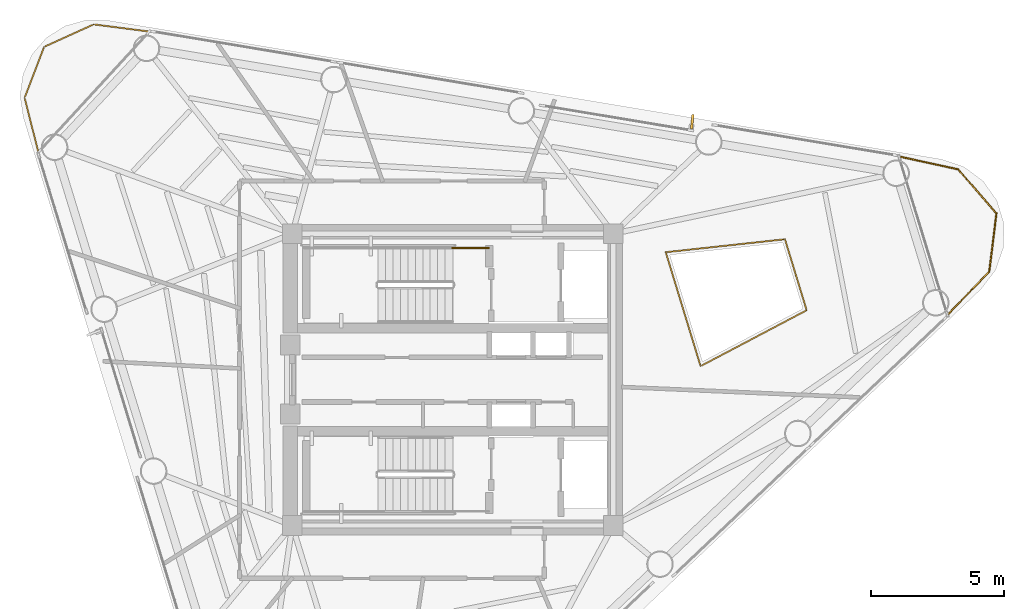
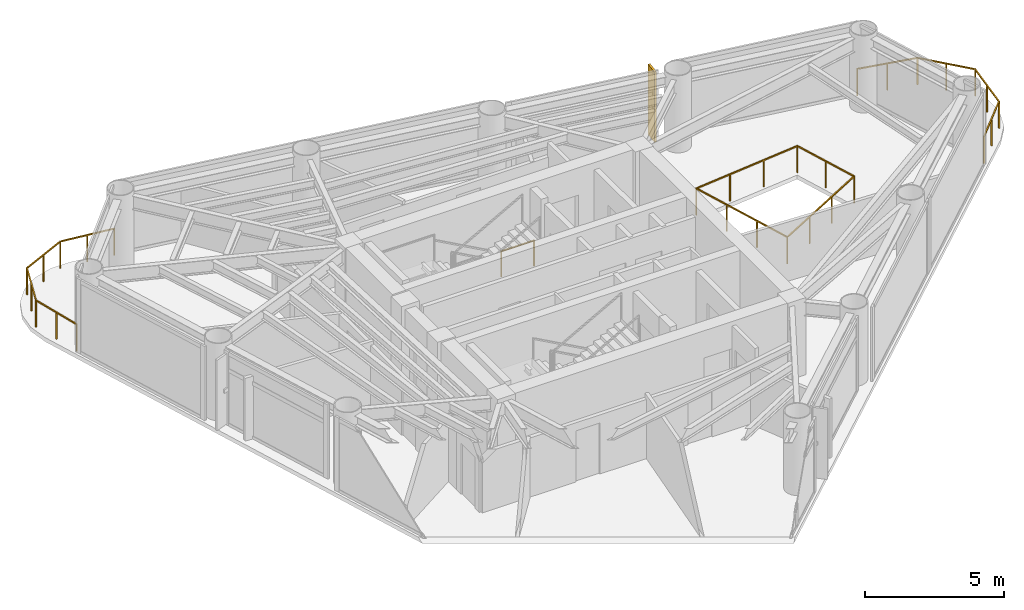
# One storey, part 9 of 9: 4 railings, 1 shading device.
"""IFC4 building model written with IfcOpenShell, lengths in metres."""

from ifc_helpers import new_model, si_unit, direction, frame, origin, origin_2d, place, context, subcontext, project, spatial, rectangle, extrude, source, transform, mapped, material, material_profile, profile_set, type_object, element, save


model = new_model("IFC4")

# Units and contexts
model_context = context("Model", 3, precision=1e-05, world=origin(), true_north=direction((0.0, 1.0)))
body_context = subcontext(model_context, "Body", "Model", "MODEL_VIEW")
ifc_project = project(units=[si_unit("LENGTHUNIT", "METRE"), si_unit("AREAUNIT", "SQUARE_METRE"), si_unit("VOLUMEUNIT", "CUBIC_METRE"), si_unit("PLANEANGLEUNIT", "RADIAN"), si_unit("MASSUNIT", "GRAM", prefix="KILO")], contexts=[model_context])

# Site, building, storey
site_placement = place(None, origin())
site = spatial("IfcSite", under=ifc_project, at=site_placement, CompositionType="ELEMENT")
building_placement = place(site_placement, origin())
building = spatial("IfcBuilding", under=site, at=building_placement, Name="Yunling Apex Tower", CompositionType="ELEMENT")
storey_placement = place(building_placement, frame((0.0, 0.0, 232.050048828125)))
storey = spatial("IfcBuildingStorey", under=building, at=storey_placement, Name="L56", CompositionType="ELEMENT", Elevation=232.050048828125)

# Railings
ifc_material_1 = material(Name="Bronze anodised aluminium", Category="aluminium")
railing_type_1 = type_object("IfcRailingType", Name="RL-BAL-1200", PredefinedType="BALUSTRADE", material=ifc_material_1)
railing_1_placement = place(storey_placement, frame((16.8173828125, 8.41064453125, 0.0)))
element("IfcRailing", 1, at=railing_1_placement, inside=storey, type_object=railing_type_1, Name="RL-CRNSILL-L56-1", PredefinedType="BALUSTRADE", context=body_context, shape_type="SweptSolid", body=[
    extrude(rectangle(XDim=0.0439453125, YDim=0.0439453125, at=origin_2d()), origin(), (0.0, 0.0, 1.0), 1.199951171875),
    extrude(rectangle(XDim=0.0439453125, YDim=0.0439453125, at=origin_2d()), frame((2.2275390625, -0.484130859375, 0.0)), (0.0, 0.0, 1.0), 1.199951171875),
    extrude(rectangle(XDim=0.050048828125, YDim=0.050048828125, at=origin_2d()), frame((0.037353515625, -0.008056640625, 1.1748046875), z_axis=(0.977186995442, -0.212380733446, 0.0), x_axis=(0.212380733446, 0.977186995442, 0.0)), (0.0, 0.0, 1.0), 2.202880859375),
    extrude(rectangle(XDim=0.0439453125, YDim=0.0439453125, at=origin_2d()), frame((1.11376953125, -0.2421875, 0.0)), (0.0, 0.0, 1.0), 1.14599609375),
    extrude(rectangle(XDim=0.0439453125, YDim=0.0439453125, at=origin_2d()), frame((3.673828125, -2.145751953125, 0.0)), (0.0, 0.0, 1.0), 1.199951171875),
    extrude(rectangle(XDim=0.050048828125, YDim=0.050048828125, at=origin_2d()), frame((2.252685546875, -0.512939453125, 1.1748046875), z_axis=(0.656540826245, -0.754290490112, 0.0), x_axis=(0.754290490112, 0.656540826245, 0.0)), (0.0, 0.0, 1.0), 2.126220703125),
    extrude(rectangle(XDim=0.0439453125, YDim=0.0439453125, at=origin_2d()), frame((2.95068359375, -1.31494140625, 0.0)), (0.0, 0.0, 1.0), 1.14599609375),
    extrude(rectangle(XDim=0.0439453125, YDim=0.0439453125, at=origin_2d()), frame((3.404052734375, -4.332275390625, 0.0)), (0.0, 0.0, 1.0), 1.199951171875),
    extrude(rectangle(XDim=0.050048828125, YDim=0.050048828125, at=origin_2d()), frame((3.669189453125, -2.183837890625, 1.1748046875), z_axis=(-0.122452455401, -0.992474380609, 0.0), x_axis=(0.992474380609, -0.122452455401, 0.0)), (0.0, 0.0, 1.0), 2.12646484375),
    extrude(rectangle(XDim=0.0439453125, YDim=0.0439453125, at=origin_2d()), frame((3.5390625, -3.239013671875, 0.0)), (0.0, 0.0, 1.0), 1.14599609375),
    extrude(rectangle(XDim=0.0439453125, YDim=0.0439453125, at=origin_2d()), frame((1.828125, -5.979248046875, 0.0)), (0.0, 0.0, 1.0), 1.199951171875),
    extrude(rectangle(XDim=0.050048828125, YDim=0.050048828125, at=origin_2d()), frame((3.37744140625, -4.35986328125, 1.1748046875), z_axis=(-0.691351518359, -0.722518565895, 0.0), x_axis=(0.722518565895, -0.691351518359, 0.0)), (0.0, 0.0, 1.0), 2.202880859375),
    extrude(rectangle(XDim=0.0439453125, YDim=0.0439453125, at=origin_2d()), frame((2.6162109375, -5.15576171875, 0.0)), (0.0, 0.0, 1.0), 1.14599609375),
])
railing_2_placement = place(storey_placement, frame((-15.61962890625, 8.571533203125, 0.0)))
element("IfcRailing", 2, at=railing_2_placement, inside=storey, type_object=railing_type_1, Name="RL-CRNSILL-L56-2", PredefinedType="BALUSTRADE", context=body_context, shape_type="SweptSolid", body=[
    extrude(rectangle(XDim=0.0439453125, YDim=0.0439453125, at=origin_2d()), origin(), (0.0, 0.0, 1.0), 1.199951171875),
    extrude(rectangle(XDim=0.0439453125, YDim=0.0439453125, at=origin_2d()), frame((-0.5185546875, 2.04931640625, 0.0)), (0.0, 0.0, 1.0), 1.199951171875),
    extrude(rectangle(XDim=0.050048828125, YDim=0.050048828125, at=origin_2d()), frame((-0.009521484375, 0.037109375, 1.1748046875), z_axis=(-0.245306459502, 0.969445584304, 0.0), x_axis=(-0.969445584304, -0.245306459502, 0.0)), (0.0, 0.0, 1.0), 2.037353515625),
    extrude(rectangle(XDim=0.0439453125, YDim=0.0439453125, at=origin_2d()), frame((-0.25927734375, 1.024658203125, 0.0)), (0.0, 0.0, 1.0), 1.14599609375),
    extrude(rectangle(XDim=0.0439453125, YDim=0.0439453125, at=origin_2d()), frame((0.216552734375, 3.970458984375, 0.0)), (0.0, 0.0, 1.0), 1.199951171875),
    extrude(rectangle(XDim=0.050048828125, YDim=0.050048828125, at=origin_2d()), frame((-0.5048828125, 2.085205078125, 1.1748046875), z_axis=(0.357371966157, 0.933962139385, 0.0), x_axis=(-0.933962139385, 0.357371966157, 0.0)), (0.0, 0.0, 1.0), 1.980224609375),
    extrude(rectangle(XDim=0.0439453125, YDim=0.0439453125, at=origin_2d()), frame((-0.15087890625, 3.009765625, 0.0)), (0.0, 0.0, 1.0), 1.14599609375),
    extrude(rectangle(XDim=0.0439453125, YDim=0.0439453125, at=origin_2d()), frame((2.083740234375, 4.817626953125, 0.0)), (0.0, 0.0, 1.0), 1.199951171875),
    extrude(rectangle(XDim=0.050048828125, YDim=0.050048828125, at=origin_2d()), frame((0.25146484375, 3.986328125, 1.1748046875), z_axis=(0.910651704015, 0.413174870938, 0.0), x_axis=(-0.413174870938, 0.910651704015, 0.0)), (0.0, 0.0, 1.0), 1.9736328125),
    extrude(rectangle(XDim=0.0439453125, YDim=0.0439453125, at=origin_2d()), frame((1.150146484375, 4.39404296875, 0.0)), (0.0, 0.0, 1.0), 1.14599609375),
    extrude(rectangle(XDim=0.0439453125, YDim=0.0439453125, at=origin_2d()), frame((4.180908203125, 4.54736328125, 0.0)), (0.0, 0.0, 1.0), 1.199951171875),
    extrude(rectangle(XDim=0.050048828125, YDim=0.050048828125, at=origin_2d()), frame((2.121826171875, 4.812744140625, 1.1748046875), z_axis=(0.99179818069, -0.127813805125, 0.0), x_axis=(0.127813805125, 0.99179818069, 0.0)), (0.0, 0.0, 1.0), 2.037841796875),
    extrude(rectangle(XDim=0.0439453125, YDim=0.0439453125, at=origin_2d()), frame((3.13232421875, 4.6826171875, 0.0)), (0.0, 0.0, 1.0), 1.14599609375),
])
railing_3_placement = place(storey_placement, frame((8.02685546875, 4.8017578125, 0.0)))
element("IfcRailing", 3, at=railing_3_placement, inside=storey, type_object=railing_type_1, Name="RL-TATR-L56", PredefinedType="BALUSTRADE", context=body_context, shape_type="SweptSolid", body=[
    extrude(rectangle(XDim=0.0439453125, YDim=0.0439453125, at=origin_2d()), origin(), (0.0, 0.0, 1.0), 1.199951171875),
    extrude(rectangle(XDim=0.0439453125, YDim=0.0439453125, at=origin_2d()), frame((4.4931640625, 0.4892578125, 0.0)), (0.0, 0.0, 1.0), 1.199951171875),
    extrude(rectangle(XDim=0.050048828125, YDim=0.050048828125, at=origin_2d()), frame((0.0380859375, 0.004150390625, 1.1748046875), z_axis=(0.994123756521, 0.108249511414, 0.0), x_axis=(-0.108249511414, 0.994123756521, 0.0)), (0.0, 0.0, 1.0), 4.443115234375),
    extrude(rectangle(XDim=0.0439453125, YDim=0.0439453125, at=origin_2d()), frame((1.497802734375, 0.1630859375, 0.0)), (0.0, 0.0, 1.0), 1.14599609375),
    extrude(rectangle(XDim=0.0439453125, YDim=0.0439453125, at=origin_2d()), frame((2.995361328125, 0.326171875, 0.0)), (0.0, 0.0, 1.0), 1.14599609375),
    extrude(rectangle(XDim=0.0439453125, YDim=0.0439453125, at=origin_2d()), frame((5.3115234375, -2.18701171875, 0.0)), (0.0, 0.0, 1.0), 1.199951171875),
    extrude(rectangle(XDim=0.050048828125, YDim=0.050048828125, at=origin_2d()), frame((4.50439453125, 0.45263671875, 1.1748046875), z_axis=(0.292417998169, -0.956290601411, 0.0), x_axis=(0.956290601411, 0.292417998169, 0.0)), (0.0, 0.0, 1.0), 2.721923828125),
    extrude(rectangle(XDim=0.0439453125, YDim=0.0439453125, at=origin_2d()), frame((4.90234375, -0.848876953125, 0.0)), (0.0, 0.0, 1.0), 1.14599609375),
    extrude(rectangle(XDim=0.0439453125, YDim=0.0439453125, at=origin_2d()), frame((1.312744140625, -4.2939453125, 0.0)), (0.0, 0.0, 1.0), 1.199951171875),
    extrude(rectangle(XDim=0.050048828125, YDim=0.050048828125, at=origin_2d()), frame((5.277587890625, -2.204833984375, 1.1748046875), z_axis=(-0.884707228161, -0.466147101717, 0.0), x_axis=(0.466147101717, -0.884707228161, 0.0)), (0.0, 0.0, 1.0), 4.443115234375),
    extrude(rectangle(XDim=0.0439453125, YDim=0.0439453125, at=origin_2d()), frame((3.978515625, -2.889404296875, 0.0)), (0.0, 0.0, 1.0), 1.14599609375),
    extrude(rectangle(XDim=0.0439453125, YDim=0.0439453125, at=origin_2d()), frame((2.645751953125, -3.591552734375, 0.0)), (0.0, 0.0, 1.0), 1.14599609375),
    extrude(rectangle(XDim=0.050048828125, YDim=0.050048828125, at=origin_2d()), frame((1.301513671875, -4.25732421875, 1.1748046875), z_axis=(-0.292362196042, 0.956307663007, 0.0), x_axis=(-0.956307663007, -0.292362196042, 0.0)), (0.0, 0.0, 1.0), 4.41357421875),
    extrude(rectangle(XDim=0.0439453125, YDim=0.0439453125, at=origin_2d()), frame((0.875244140625, -2.862548828125, 0.0)), (0.0, 0.0, 1.0), 1.14599609375),
    extrude(rectangle(XDim=0.0439453125, YDim=0.0439453125, at=origin_2d()), frame((0.4375, -1.431396484375, 0.0)), (0.0, 0.0, 1.0), 1.14599609375),
])
ifc_material_2 = material(Name="Steel Q355B", Category="steel")
railing_type_2 = type_object("IfcRailingType", Name="RL-GRD-1150", PredefinedType="GUARDRAIL", material=ifc_material_2)
railing_4_placement = place(storey_placement, frame((1.35009765625, 4.9599609375, 0.0)))
element("IfcRailing", 4, at=railing_4_placement, inside=storey, type_object=railing_type_2, Name="L56 ST-1 stair guard 6", PredefinedType="GUARDRAIL", context=body_context, shape_type="SweptSolid", body=[
    extrude(rectangle(XDim=0.0439453125, YDim=0.0439453125, at=origin_2d()), origin(), (0.0, 0.0, 1.0), 1.14990234375),
    extrude(rectangle(XDim=0.0439453125, YDim=0.0439453125, at=origin_2d()), frame((-1.360107421875, 0.0, 0.0)), (0.0, 0.0, 1.0), 1.14990234375),
    extrude(rectangle(XDim=0.050048828125, YDim=0.050048828125, at=origin_2d()), frame((-0.038330078125, 0.0, 1.125), z_axis=(-1.0, 0.0, 0.0), x_axis=(0.0, -1.0, 0.0)), (0.0, 0.0, 1.0), 1.283447265625),
])

# Shading device
ifc_material_profile = material_profile(ifc_material_1, rectangle(XDim=0.0849609375, YDim=0.550048828125, at=origin_2d()))
ifc_profile_set = profile_set([ifc_material_profile], Name="Bronze anodised aluminium")
shading_device_type = type_object("IfcShadingDeviceType", Name="FN-BRZ-3", PredefinedType="USERDEFINED", material=ifc_profile_set)
shared_shape = source(origin(), body_context, "Body", "SweptSolid", [
    extrude(rectangle(XDim=0.0849609375, YDim=0.550048828125, at=origin_2d()), origin(), (0.0, 0.0, 1.0), 3.10009765625),
])
shading_device_placement = place(storey_placement, frame((9.0244140625, 9.71435546875, 0.059814453125), z_axis=(0.0, 0.0, 1.0), x_axis=(-0.995038220239, 0.099493418189, 0.0)))
element("IfcShadingDevice", 5, at=shading_device_placement, inside=storey, type_object=shading_device_type, Name="CW-L56-F2-B2-FIN-01", ObjectType="FIN", PredefinedType="USERDEFINED", context=body_context, shape_type="MappedRepresentation", body=[
    mapped(shared_shape, transform((0.0, 0.0, 0.0), scale=1.0)),
])

save(model, "model.ifc")
